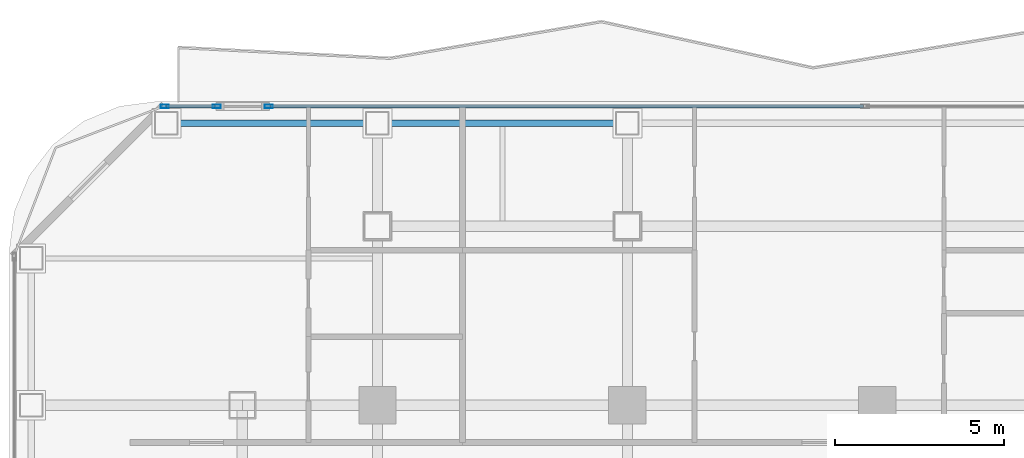
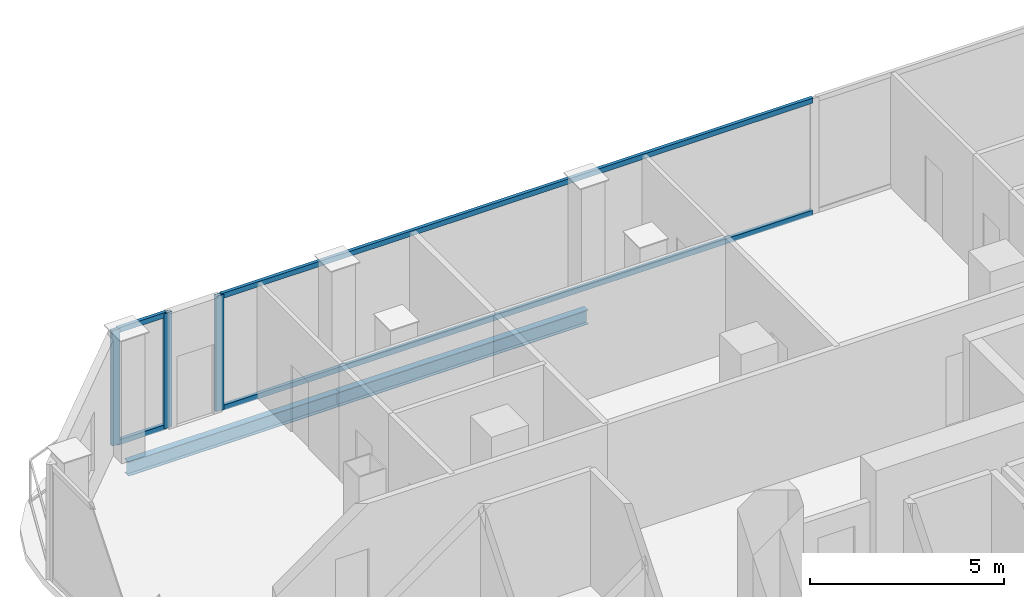
# One storey, part 13 of 26: 7 members, 2 beams, 2 elements without a shape of their own.
"""IFC4 building model written with IfcOpenShell, lengths in metres."""

from ifc_helpers import new_model, si_unit, direction, frame, origin, origin_2d, place, context, subcontext, project, spatial, hollow_rectangle, i_section, extrude, material, layer, layer_set, material_profile, profile_set, type_object, element, aggregate, save


model = new_model("IFC4")

# Units and contexts
model_context = context("Model", 3, precision=1e-05, world=origin(), true_north=direction((0.0, 1.0)))
body_context = subcontext(model_context, "Body", "Model", "MODEL_VIEW")
ifc_project = project(units=[si_unit("LENGTHUNIT", "METRE"), si_unit("AREAUNIT", "SQUARE_METRE"), si_unit("VOLUMEUNIT", "CUBIC_METRE"), si_unit("PLANEANGLEUNIT", "RADIAN"), si_unit("MASSUNIT", "GRAM", prefix="KILO")], contexts=[model_context])

# Site, building, storey
site_placement = place(None, origin())
site = spatial("IfcSite", under=ifc_project, at=site_placement, CompositionType="ELEMENT")
building_placement = place(site_placement, origin())
building = spatial("IfcBuilding", under=site, at=building_placement, Name="Khorvyn Point Tower", CompositionType="ELEMENT")
storey_placement = place(building_placement, frame((0.0, 0.0, 187.5)))
storey = spatial("IfcBuildingStorey", under=building, at=storey_placement, Name="L46", CompositionType="ELEMENT", Elevation=187.5)

# Curtain wall, members
ifc_material_1 = material(Name="Anodised aluminium 6063-T6 and laminated Low-E glass", Category="aluminium")
ifc_layer = layer(ifc_material_1, 0.18994140625)
ifc_layer_set = layer_set([ifc_layer], Name="Stick-Built Acoustic Curtain Wall CW-SYS-03")
curtain_wall_type = type_object("IfcCurtainWallType", Name="Stick-Built Acoustic Curtain Wall CW-SYS-03", PredefinedType="NOTDEFINED", material=ifc_layer_set)
curtain_wall_1_placement = place(storey_placement, origin())
curtain_wall_1 = element("IfcCurtainWall", 1, at=curtain_wall_1_placement, inside=storey, type_object=curtain_wall_type, Name="Curtain Wall", PredefinedType="NOTDEFINED")
ifc_material_2 = material(Name="Anodised aluminium 6063-T6", Category="aluminium")
ifc_material_profile_1 = material_profile(ifc_material_2, hollow_rectangle(XDim=0.10009765625, YDim=0.239990234375, WallThickness=0.0048828125, at=origin_2d()))
ifc_profile_set_1 = profile_set([ifc_material_profile_1], Name="Anodised aluminium 6063-T6 ALU-MUL-100x240")
member_type_1 = type_object("IfcMemberType", Name="Anodised Aluminium 6063-T6 Mullion ALU-MUL-100x240", PredefinedType="MULLION", material=ifc_profile_set_1)
member_1_placement = place(storey_placement, frame((-21.10009765625, 23.64990234375, 0.0), z_axis=(0.0, 0.0, 1.0), x_axis=(0.0, 1.0, 0.0)))
member_1 = element("IfcMember", 2, at=member_1_placement, type_object=member_type_1, Name="Transom", PredefinedType="MULLION", context=body_context, shape_type="SweptSolid", body=[
    extrude(hollow_rectangle(XDim=0.10009765625, YDim=0.239990234375, WallThickness=0.0048828125, at=origin_2d()), origin(), (0.0, 0.0, 1.0), 3.6201171875),
])
member_2_placement = place(storey_placement, frame((-19.55810546875, 23.64990234375, 0.0), z_axis=(0.0, 0.0, 1.0), x_axis=(0.0, 1.0, 0.0)))
member_2 = element("IfcMember", 3, at=member_2_placement, type_object=member_type_1, Name="Transom", PredefinedType="MULLION", context=body_context, shape_type="SweptSolid", body=[
    extrude(hollow_rectangle(XDim=0.10009765625, YDim=0.239990234375, WallThickness=0.0048828125, at=origin_2d()), origin(), (0.0, 0.0, 1.0), 3.6201171875),
])

# Curtain wall, member
curtain_wall_2_placement = place(storey_placement, origin())
curtain_wall_2 = element("IfcCurtainWall", 4, at=curtain_wall_2_placement, inside=storey, type_object=curtain_wall_type, Name="Curtain Wall", PredefinedType="NOTDEFINED")
member_3_placement = place(storey_placement, frame((-18.01806640625, 23.64990234375, 0.0), z_axis=(0.0, 0.0, 1.0), x_axis=(0.0, 1.0, 0.0)))
member_3 = element("IfcMember", 5, at=member_3_placement, type_object=member_type_1, Name="Transom", PredefinedType="MULLION", context=body_context, shape_type="SweptSolid", body=[
    extrude(hollow_rectangle(XDim=0.10009765625, YDim=0.239990234375, WallThickness=0.0048828125, at=origin_2d()), origin(), (0.0, 0.0, 1.0), 3.6201171875),
])

# Member
ifc_material_profile_2 = material_profile(ifc_material_2, hollow_rectangle(XDim=0.10009765625, YDim=0.159912109375, WallThickness=0.00439453125, at=origin_2d()))
ifc_profile_set_2 = profile_set([ifc_material_profile_2], Name="Anodised aluminium 6063-T6 ALU-TRN-100x160")
member_type_2 = type_object("IfcMemberType", Name="Anodised Aluminium 6063-T6 Transom ALU-TRN-100x160", PredefinedType="USERDEFINED", material=ifc_profile_set_2)
member_4_placement = place(storey_placement, frame((-21.050048828125, 23.64990234375, 0.050048828125), z_axis=(1.0, 0.0, 0.0), x_axis=(0.0, 1.0, 0.0)))
member_4 = element("IfcMember", 6, at=member_4_placement, type_object=member_type_2, Name="Transom", ObjectType="TRANSOM", PredefinedType="USERDEFINED", context=body_context, shape_type="SweptSolid", body=[
    extrude(hollow_rectangle(XDim=0.10009765625, YDim=0.159912109375, WallThickness=0.00439453125, at=origin_2d()), origin(), (0.0, 0.0, 1.0), 1.442138671875),
])

member_5_placement = place(storey_placement, frame((-21.050048828125, 23.64990234375, 3.570068359375), z_axis=(1.0, 0.0, 0.0), x_axis=(0.0, 1.0, 0.0)))
member_5 = element("IfcMember", 7, at=member_5_placement, type_object=member_type_2, Name="Transom", ObjectType="TRANSOM", PredefinedType="USERDEFINED", context=body_context, shape_type="SweptSolid", body=[
    extrude(hollow_rectangle(XDim=0.10009765625, YDim=0.159912109375, WallThickness=0.00439453125, at=origin_2d()), origin(), (0.0, 0.0, 1.0), 1.442138671875),
])

aggregate(curtain_wall_1, [member_1, member_2, member_4, member_5])

member_6_placement = place(storey_placement, frame((-17.968017578125, 23.64990234375, 0.050048828125), z_axis=(1.0, 0.0, 0.0), x_axis=(0.0, 1.0, 0.0)))
member_6 = element("IfcMember", 8, at=member_6_placement, type_object=member_type_2, Name="Transom", ObjectType="TRANSOM", PredefinedType="USERDEFINED", context=body_context, shape_type="SweptSolid", body=[
    extrude(hollow_rectangle(XDim=0.10009765625, YDim=0.159912109375, WallThickness=0.00439453125, at=origin_2d()), origin(), (0.0, 0.0, 1.0), 17.55908203125),
])

member_7_placement = place(storey_placement, frame((-17.968017578125, 23.64990234375, 3.570068359375), z_axis=(1.0, 0.0, 0.0), x_axis=(0.0, 1.0, 0.0)))
member_7 = element("IfcMember", 9, at=member_7_placement, type_object=member_type_2, Name="Transom", ObjectType="TRANSOM", PredefinedType="USERDEFINED", context=body_context, shape_type="SweptSolid", body=[
    extrude(hollow_rectangle(XDim=0.10009765625, YDim=0.159912109375, WallThickness=0.00439453125, at=origin_2d()), origin(), (0.0, 0.0, 1.0), 17.55908203125),
])

aggregate(curtain_wall_2, [member_3, member_6, member_7])

# Beams
ifc_material_3 = material(Name="Steel S355", Category="steel")
ifc_material_profile_3 = material_profile(ifc_material_3, i_section(OverallWidth=0.199951171875, OverallDepth=0.449951171875, WebThickness=0.009033203125, FlangeThickness=0.013916015625, at=origin_2d()))
ifc_profile_set_3 = profile_set([ifc_material_profile_3], Name="Steel S355 H450x200x9x14")
beam_type = type_object("IfcBeamType", Name="Steel S355 Spandrel H450x200x9x14", PredefinedType="SPANDREL", material=ifc_profile_set_3)
beam_1_placement = place(storey_placement, frame((-21.050048828125, 23.14990234375, -0.445068359375), z_axis=(1.0, 0.0, 0.0), x_axis=(0.0, 1.0, 0.0)))
element("IfcBeam", 10, at=beam_1_placement, inside=storey, type_object=beam_type, Name="Beam", PredefinedType="SPANDREL", context=body_context, shape_type="SweptSolid", body=[
    extrude(i_section(OverallWidth=0.199951171875, OverallDepth=0.449951171875, WebThickness=0.009033203125, FlangeThickness=0.013916015625, at=origin_2d()), origin(), (0.0, 0.0, 1.0), 6.25),
])
beam_2_placement = place(storey_placement, frame((-14.800048828125, 23.14990234375, -0.445068359375), z_axis=(1.0, 0.0, 0.0), x_axis=(0.0, 1.0, 0.0)))
element("IfcBeam", 11, at=beam_2_placement, inside=storey, type_object=beam_type, Name="Beam", PredefinedType="SPANDREL", context=body_context, shape_type="SweptSolid", body=[
    extrude(i_section(OverallWidth=0.199951171875, OverallDepth=0.449951171875, WebThickness=0.009033203125, FlangeThickness=0.013916015625, at=origin_2d()), origin(), (0.0, 0.0, 1.0), 7.400146484375),
])

save(model, "model.ifc")
